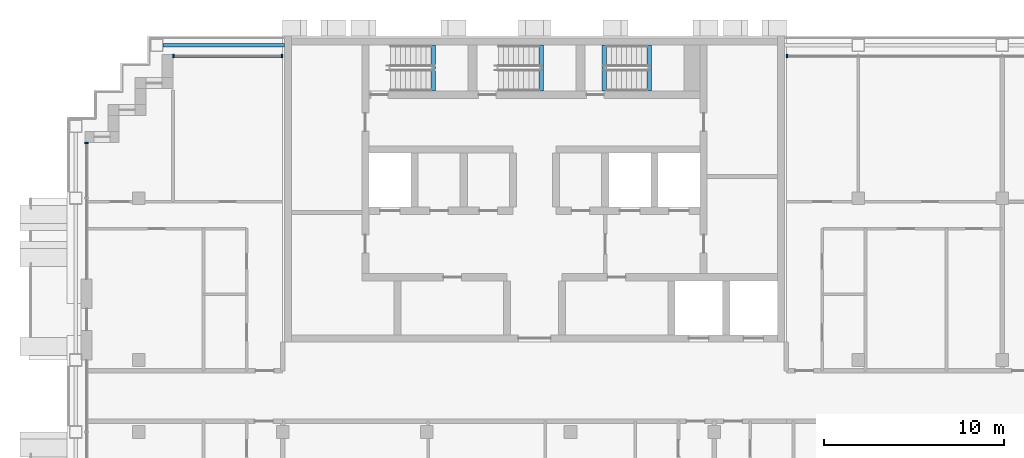
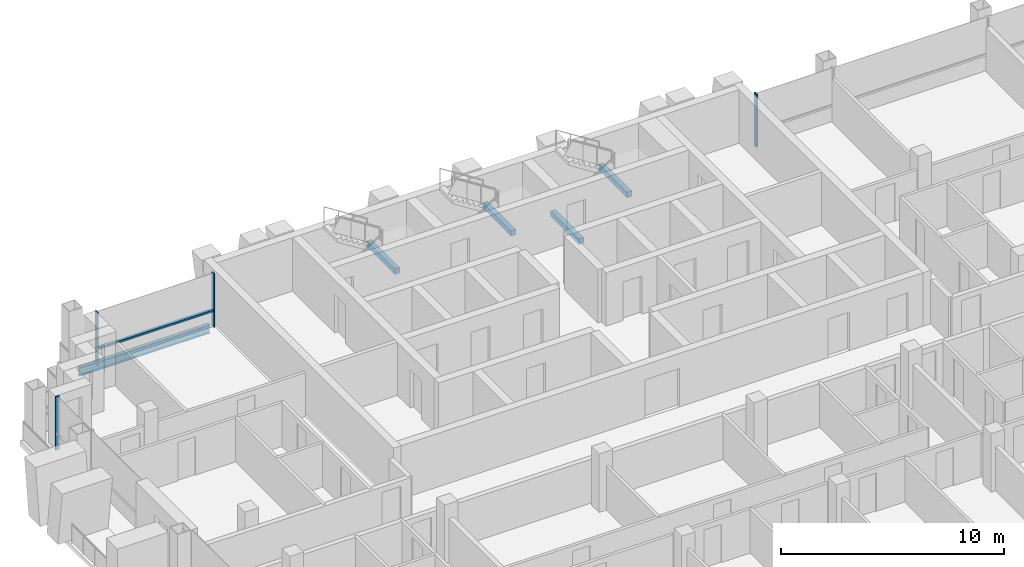
# One storey, part 4 of 16: 5 beams, 5 members, 3 elements without a shape of their own.
"""IFC4 building model written with IfcOpenShell, lengths in metres."""

from ifc_helpers import new_model, si_unit, direction, frame, origin, origin_2d, place, context, subcontext, project, spatial, rectangle, i_section, extrude, material, material_profile, profile_set, type_object, element, aggregate, save


model = new_model("IFC4")

# Units and contexts
model_context = context("Model", 3, precision=1e-05, world=origin(), true_north=direction((0.0, 1.0)))
body_context = subcontext(model_context, "Body", "Model", "MODEL_VIEW")
ifc_project = project(units=[si_unit("LENGTHUNIT", "METRE"), si_unit("AREAUNIT", "SQUARE_METRE"), si_unit("VOLUMEUNIT", "CUBIC_METRE"), si_unit("PLANEANGLEUNIT", "RADIAN"), si_unit("MASSUNIT", "GRAM", prefix="KILO")], contexts=[model_context])

# Site, building, storey
site_placement = place(None, origin())
site = spatial("IfcSite", under=ifc_project, at=site_placement, CompositionType="ELEMENT")
building_placement = place(site_placement, origin())
building = spatial("IfcBuilding", under=site, at=building_placement, Name="Vidyagriha Tower", CompositionType="ELEMENT")
storey_placement = place(building_placement, frame((0.0, 0.0, 184.5)))
storey = spatial("IfcBuildingStorey", under=building, at=storey_placement, Name="L48", CompositionType="ELEMENT", Elevation=184.5)

# Beam
ifc_material_1 = material(Name="Steel ASTM A992 Grade 50", Category="steel")
ifc_material_profile_1 = material_profile(ifc_material_1, i_section(OverallWidth=0.19189453125, OverallDepth=0.46240234375, WebThickness=0.010498046875, FlangeThickness=0.017578125, at=origin_2d()), Name="W18X60")
ifc_profile_set_1 = profile_set([ifc_material_profile_1], Name="Steel ASTM A992 Grade 50")
beam_type_1 = type_object("IfcBeamType", Name="Edge beam W18X60", PredefinedType="SPANDREL", material=ifc_profile_set_1)
beam_placement = place(storey_placement, frame((-20.64990234375, 19.5, -0.51123046875), z_axis=(1.0, 0.0, 0.0), x_axis=(0.0, 1.0, 0.0)))
element("IfcBeam", 1, at=beam_placement, inside=storey, type_object=beam_type_1, Name="st-beam-L48-NC20", PredefinedType="SPANDREL", context=body_context, shape_type="SweptSolid", body=[
    extrude(i_section(OverallWidth=0.19189453125, OverallDepth=0.46240234375, WebThickness=0.010498046875, FlangeThickness=0.017578125, at=origin_2d()), origin(), (0.0, 0.0, 1.0), 6.75),
])

# Curtain wall, member
ifc_material_2 = material(Name="Aluminium and glass curtain wall", Category="aluminium")
curtain_wall_type = type_object("IfcCurtainWallType", Name="Dwelling skin unitised curtain wall", PredefinedType="USERDEFINED", material=ifc_material_2)
curtain_wall_1_placement = place(storey_placement, origin())
curtain_wall_1 = element("IfcCurtainWall", 2, at=curtain_wall_1_placement, inside=storey, type_object=curtain_wall_type, Name="CW1 dwelling skin", ObjectType="UNITISED", PredefinedType="USERDEFINED")
ifc_material_3 = material(Name="Aluminium black anodised", Category="aluminium")
ifc_material_profile_2 = material_profile(ifc_material_3, rectangle(XDim=0.199951171875, YDim=0.070068359375, at=origin_2d()), Name="Mullion 70x200 black aluminium")
ifc_profile_set_2 = profile_set([ifc_material_profile_2], Name="Aluminium black anodised")
member_type_1 = type_object("IfcMemberType", Name="Mullion 70x200 black aluminium", PredefinedType="MULLION", material=ifc_profile_set_2)
member_1_placement = place(storey_placement, frame((14.034912109375, 18.89990234375, 0.0), z_axis=(0.0, 0.0, 1.0), x_axis=(0.0, -1.0, 0.0)))
member_1 = element("IfcMember", 3, at=member_1_placement, type_object=member_type_1, Name="CW1 mullion 4", PredefinedType="MULLION", context=body_context, shape_type="SweptSolid", body=[
    extrude(rectangle(XDim=0.199951171875, YDim=0.070068359375, at=origin_2d()), origin(), (0.0, 0.0, 1.0), 2.919921875),
])
aggregate(curtain_wall_1, [member_1])

# Curtain wall, members
curtain_wall_2_placement = place(storey_placement, origin())
curtain_wall_2 = element("IfcCurtainWall", 4, at=curtain_wall_2_placement, inside=storey, type_object=curtain_wall_type, Name="CW1 dwelling skin", ObjectType="UNITISED", PredefinedType="USERDEFINED")
member_2_placement = place(storey_placement, frame((-14.034912109375, 18.89990234375, 0.0), z_axis=(0.0, 0.0, 1.0), x_axis=(0.0, -1.0, 0.0)))
member_2 = element("IfcMember", 5, at=member_2_placement, type_object=member_type_1, Name="CW1 mullion 1", PredefinedType="MULLION", context=body_context, shape_type="SweptSolid", body=[
    extrude(rectangle(XDim=0.199951171875, YDim=0.070068359375, at=origin_2d()), origin(), (0.0, 0.0, 1.0), 2.919921875),
])
member_3_placement = place(storey_placement, frame((-20.06494140625, 18.89990234375, 0.0), z_axis=(0.0, 0.0, 1.0), x_axis=(0.0, -1.0, 0.0)))
member_3 = element("IfcMember", 6, at=member_3_placement, type_object=member_type_1, Name="CW1 mullion 2", PredefinedType="MULLION", context=body_context, shape_type="SweptSolid", body=[
    extrude(rectangle(XDim=0.199951171875, YDim=0.070068359375, at=origin_2d()), origin(), (0.0, 0.0, 1.0), 2.919921875),
])

# Curtain wall, member
curtain_wall_3_placement = place(storey_placement, origin())
curtain_wall_3 = element("IfcCurtainWall", 7, at=curtain_wall_3_placement, inside=storey, type_object=curtain_wall_type, Name="CW1 dwelling skin", ObjectType="UNITISED", PredefinedType="USERDEFINED")
member_4_placement = place(storey_placement, frame((-24.89990234375, 14.06494140625, 0.0)))
member_4 = element("IfcMember", 8, at=member_4_placement, type_object=member_type_1, Name="CW1 mullion 1", PredefinedType="MULLION", context=body_context, shape_type="SweptSolid", body=[
    extrude(rectangle(XDim=0.199951171875, YDim=0.070068359375, at=origin_2d()), origin(), (0.0, 0.0, 1.0), 2.919921875),
])
aggregate(curtain_wall_3, [member_4])

# Beams
ifc_material_4 = material(Name="Concrete C40/50", Category="concrete")
ifc_material_profile_3 = material_profile(ifc_material_4, rectangle(XDim=0.25, YDim=0.300048828125, at=origin_2d()), Name="Stair landing bearing beam 250x300")
ifc_profile_set_3 = profile_set([ifc_material_profile_3], Name="Concrete C40/50")
beam_type_2 = type_object("IfcBeamType", Name="Stair landing bearing beam 250x300", PredefinedType="BEAM", material=ifc_profile_set_3)
for number, where, z_axis, x_axis, name in (
    (9, (3.875, 16.949951171875, -0.429931640625), (0.0, 1.0, 0.0), (-1.0, 0.0, 0.0), "ST3 floor landing bearing beam L48"),
    (10, (-5.635009765625, 16.949951171875, 1.25), (0.0, 1.0, 0.0), (-1.0, 0.0, 0.0), "ST1 landing bearing beam L48"),
    (11, (0.364990234375, 16.949951171875, 1.25), (0.0, 1.0, 0.0), (-1.0, 0.0, 0.0), "ST2 landing bearing beam L48"),
    (12, (6.364990234375, 16.949951171875, 1.25), (0.0, 1.0, 0.0), (-1.0, 0.0, 0.0), "ST3 landing bearing beam L48"),
):
    element("IfcBeam", number, at=place(storey_placement, frame(where, z_axis=z_axis, x_axis=x_axis)), inside=storey, type_object=beam_type_2, Name=name, PredefinedType="BEAM", context=body_context, shape_type="SweptSolid", body=[
        extrude(rectangle(XDim=0.25, YDim=0.300048828125, at=origin_2d()), origin(), (0.0, 0.0, 1.0), 2.550048828125),
    ])

# Member
ifc_material_5 = material(Name="Aluminium black anodised", Category="aluminium")
ifc_material_profile_4 = material_profile(ifc_material_5, rectangle(XDim=0.159912109375, YDim=0.10009765625, at=origin_2d()), Name="Transom 100x160 black aluminium")
ifc_profile_set_4 = profile_set([ifc_material_profile_4], Name="Aluminium black anodised")
member_type_2 = type_object("IfcMemberType", Name="Transom 100x160 black aluminium", PredefinedType="USERDEFINED", material=ifc_profile_set_4)
member_5_placement = place(storey_placement, frame((-14.070068359375, 18.89990234375, 0.89990234375), z_axis=(-1.0, 0.0, 0.0), x_axis=(0.0, -1.0, 0.0)))
member_5 = element("IfcMember", 13, at=member_5_placement, type_object=member_type_2, Name="CW1 transom 1.1", ObjectType="TRANSOM", PredefinedType="USERDEFINED", context=body_context, shape_type="SweptSolid", body=[
    extrude(rectangle(XDim=0.159912109375, YDim=0.10009765625, at=origin_2d()), origin(), (0.0, 0.0, 1.0), 5.9599609375),
])

aggregate(curtain_wall_2, [member_2, member_3, member_5])

save(model, "model.ifc")
